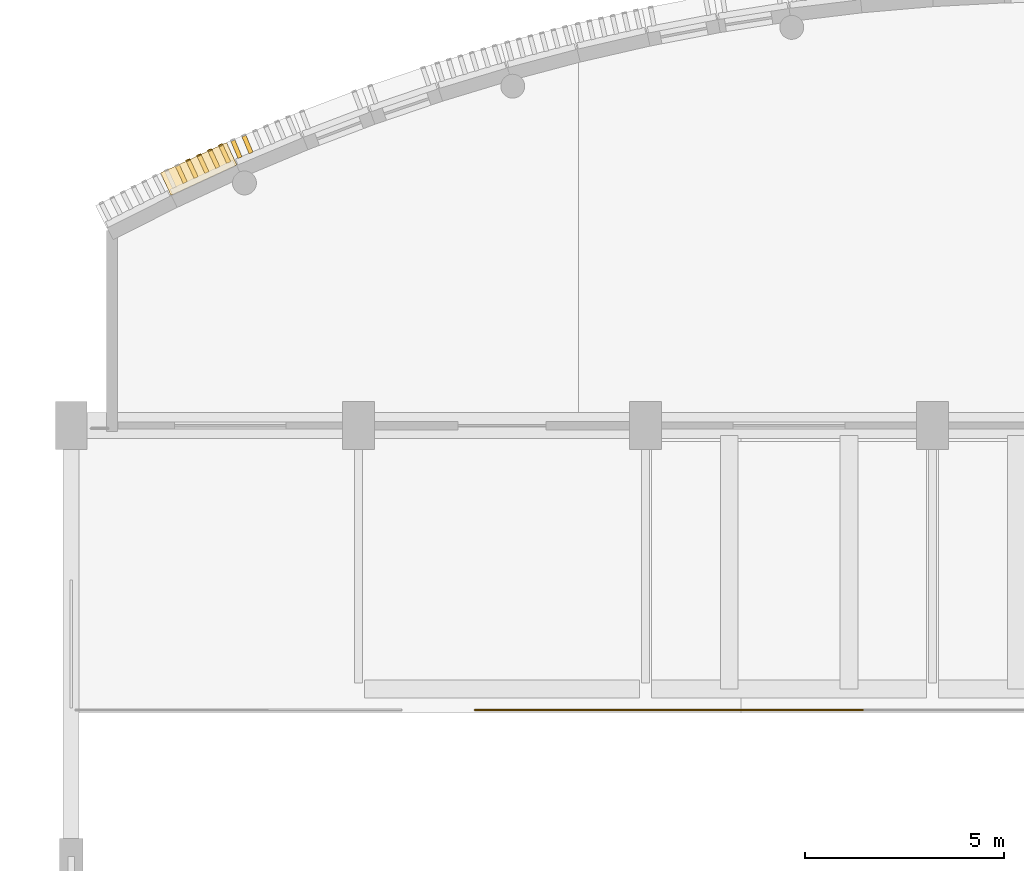
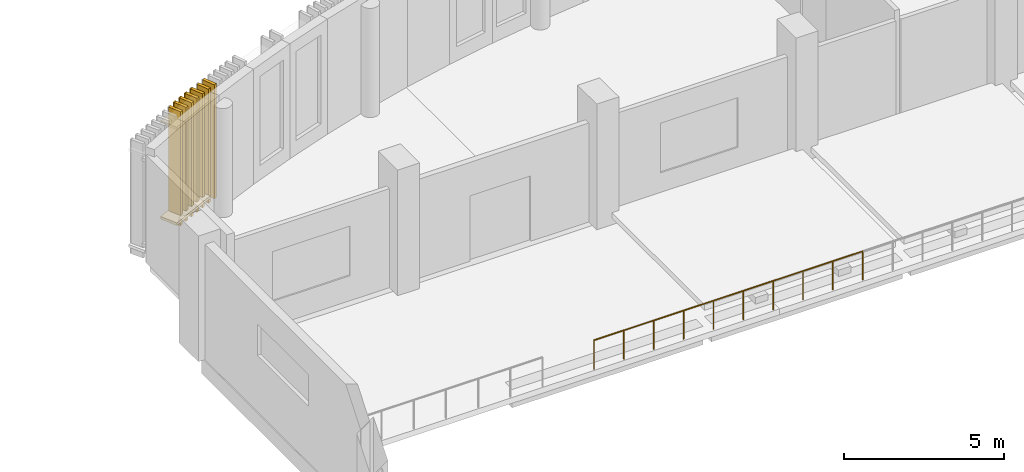
# One storey, part 64 of 71: 7 shading devices, 6 coverings, 1 railing.
"""IFC4 building model written with IfcOpenShell, lengths in metres."""

from ifc_helpers import new_model, si_unit, direction, frame, origin, origin_2d, place, context, subcontext, project, spatial, rectangle, circle, extrude, material, layer, layer_set, type_object, element, save


model = new_model("IFC4")

# Units and contexts
model_context = context("Model", 3, precision=1e-05, world=origin(), true_north=direction((0.0, 1.0)))
body_context = subcontext(model_context, "Body", "Model", "MODEL_VIEW")
ifc_project = project(units=[si_unit("LENGTHUNIT", "METRE"), si_unit("AREAUNIT", "SQUARE_METRE"), si_unit("VOLUMEUNIT", "CUBIC_METRE"), si_unit("PLANEANGLEUNIT", "RADIAN"), si_unit("MASSUNIT", "GRAM", prefix="KILO")], contexts=[model_context])

# Site, building, storey
site_placement = place(None, origin())
site = spatial("IfcSite", under=ifc_project, at=site_placement, CompositionType="ELEMENT")
building_placement = place(site_placement, origin())
building = spatial("IfcBuilding", under=site, at=building_placement, Name="Sardonyx Promenade Sports Hall", CompositionType="ELEMENT")
storey_placement = place(building_placement, frame((0.0, 0.0, 16.0)))
storey = spatial("IfcBuildingStorey", under=building, at=storey_placement, Name="L03", CompositionType="ELEMENT", Elevation=16.0)

# Coverings
ifc_material_1 = material(Name="Glulam GL28h", Category="wood")
ifc_layer = layer(ifc_material_1, 0.110107421875)
ifc_layer_set = layer_set([ifc_layer], Name="Cov_Louvre_GL28h")
covering_type = type_object("IfcCoveringType", Name="Cov_Louvre_GL28h", PredefinedType="MOLDING", material=ifc_layer_set)
for number, where, z_axis, x_axis, name in (
    (1, (31.99658203125, 110.8359375, 0.320068359375), (0.0, 0.0, 1.0), (0.90783091315, 0.419336419989, 0.0), "Bowed louvre carrier rail L03 CH02 #1"),
    (2, (31.99658203125, 110.8359375, 3.97998046875), (0.0, 0.0, 1.0), (0.90783091315, 0.419336419989, 0.0), "Bowed louvre carrier rail L03 CH02 #2"),
):
    element("IfcCovering", number, at=place(storey_placement, frame(where, z_axis=z_axis, x_axis=x_axis)), inside=storey, type_object=covering_type, Name=name, PredefinedType="MOLDING", context=body_context, shape_type="SweptSolid", body=[
        extrude(rectangle(XDim=1.820068359375, YDim=0.6201171875, at=origin_2d()), origin(), (0.0, 0.0, 1.0), 0.10009765625),
    ])
for number, where, z_axis, x_axis, name in (
    (3, (31.730224609375, 111.054443359375, 0.02001953125), (0.0, 0.0, 1.0), (0.90783091315, 0.419336419989, 0.0), "Timber louvre nose molding L03 CH02 #3"),
    (4, (32.002685546875, 111.18017578125, 0.02001953125), (0.0, 0.0, 1.0), (0.90783091315, 0.419336419989, 0.0), "Timber louvre nose molding L03 CH02 #4"),
    (5, (32.275146484375, 111.30615234375, 0.02001953125), (0.0, 0.0, 1.0), (0.90783091315, 0.419336419989, 0.0), "Timber louvre nose molding L03 CH02 #5"),
    (6, (32.54736328125, 111.431884765625, 0.02001953125), (0.0, 0.0, 1.0), (0.90783091315, 0.419336419989, 0.0), "Timber louvre nose molding L03 CH02 #6"),
):
    element("IfcCovering", number, at=place(storey_placement, frame(where, z_axis=z_axis, x_axis=x_axis)), inside=storey, type_object=covering_type, Name=name, PredefinedType="MOLDING", context=body_context, shape_type="SweptSolid", body=[
        extrude(rectangle(XDim=0.110107421875, YDim=0.0400390625, at=origin_2d()), origin(), (0.0, 0.0, 1.0), 4.360107421875),
    ])

# Railing
ifc_material_2 = material(Name="Powder-coated Steel S355JR", Category="steel")
railing_type = type_object("IfcRailingType", Name="Rail_Int_Guard_1100", PredefinedType="GUARDRAIL", material=ifc_material_2)
railing_placement = place(storey_placement, frame((38.929931640625, 97.27001953125, 0.0)))
element("IfcRailing", 7, at=railing_placement, inside=storey, type_object=railing_type, Name="Deck-edge guardrail GR02 L03 #69", PredefinedType="GUARDRAIL", context=body_context, shape_type="SweptSolid", body=[
    extrude(circle(Radius=0.02392578125, at=origin_2d()), frame((0.0, 0.0, 1.09619140625), z_axis=(1.0, 0.0, 0.0), x_axis=(0.0, 1.0, 0.0)), (0.0, 0.0, 1.0), 9.71337890625),
    extrude(circle(Radius=0.02099609375, at=origin_2d()), origin(), (0.0, 0.0, 1.0), 1.072021484375),
    extrude(circle(Radius=0.02099609375, at=origin_2d()), frame((1.079345703125, 0.0, 0.0)), (0.0, 0.0, 1.0), 1.072021484375),
    extrude(circle(Radius=0.02099609375, at=origin_2d()), frame((2.158447265625, 0.0, 0.0)), (0.0, 0.0, 1.0), 1.072021484375),
    extrude(circle(Radius=0.02099609375, at=origin_2d()), frame((3.23779296875, 0.0, 0.0)), (0.0, 0.0, 1.0), 1.072021484375),
    extrude(circle(Radius=0.02099609375, at=origin_2d()), frame((4.317138671875, 0.0, 0.0)), (0.0, 0.0, 1.0), 1.072021484375),
    extrude(circle(Radius=0.02099609375, at=origin_2d()), frame((5.396240234375, 0.0, 0.0)), (0.0, 0.0, 1.0), 1.072021484375),
    extrude(circle(Radius=0.02099609375, at=origin_2d()), frame((6.4755859375, 0.0, 0.0)), (0.0, 0.0, 1.0), 1.072021484375),
    extrude(circle(Radius=0.02099609375, at=origin_2d()), frame((7.554931640625, 0.0, 0.0)), (0.0, 0.0, 1.0), 1.072021484375),
    extrude(circle(Radius=0.02099609375, at=origin_2d()), frame((8.634033203125, 0.0, 0.0)), (0.0, 0.0, 1.0), 1.072021484375),
    extrude(circle(Radius=0.02099609375, at=origin_2d()), frame((9.71337890625, 0.0, 0.0)), (0.0, 0.0, 1.0), 1.072021484375),
])

# Shading devices
ifc_material_3 = material(Name="Glulam GL28h", Category="wood")
shading_device_type = type_object("IfcShadingDeviceType", Name="Shade_Louvre_GL28h", PredefinedType="USERDEFINED", material=ifc_material_3)
for number, where, z_axis, x_axis, name in (
    (8, (31.562822, 110.701671, 0.02), (0.0, 0.0, 1.0), (0.90783091, 0.41933642, 0.0), "Timber louvre TL01 L03 CH02 #2"),
    (9, (31.835172, 110.827472, 0.02), (0.0, 0.0, 1.0), (0.90783091, 0.41933642, 0.0), "Timber louvre TL01 L03 CH02 #3"),
    (10, (32.107521, 110.953273, 0.02), (0.0, 0.0, 1.0), (0.90783091, 0.41933642, 0.0), "Timber louvre TL01 L03 CH02 #4"),
    (11, (32.37987, 111.079073, 0.02), (0.0, 0.0, 1.0), (0.90783091, 0.41933642, 0.0), "Timber louvre TL01 L03 CH02 #5"),
    (12, (32.65222, 111.204874, 0.02), (0.0, 0.0, 1.0), (0.90783091, 0.41933642, 0.0), "Timber louvre TL01 L03 CH02 #6"),
    (13, (32.943767, 111.333468, 0.02), (0.0, 0.0, 1.0), (0.92180024, 0.38766521, 0.0), "Timber louvre TL01 L03 CH03 #1"),
    (14, (33.220307, 111.449767, 0.02), (0.0, 0.0, 1.0), (0.92180024, 0.38766521, 0.0), "Timber louvre TL01 L03 CH03 #2"),
):
    element("IfcShadingDevice", number, at=place(storey_placement, frame(where, z_axis=z_axis, x_axis=x_axis)), inside=storey, type_object=shading_device_type, material=ifc_material_3, Name=name, ObjectType="LOUVRE", PredefinedType="USERDEFINED", context=body_context, shape_type="SweptSolid", body=[
        extrude(rectangle(XDim=0.11, YDim=0.46), origin(), (0.0, 0.0, 1.0), 4.36),
    ])

save(model, "model.ifc")
